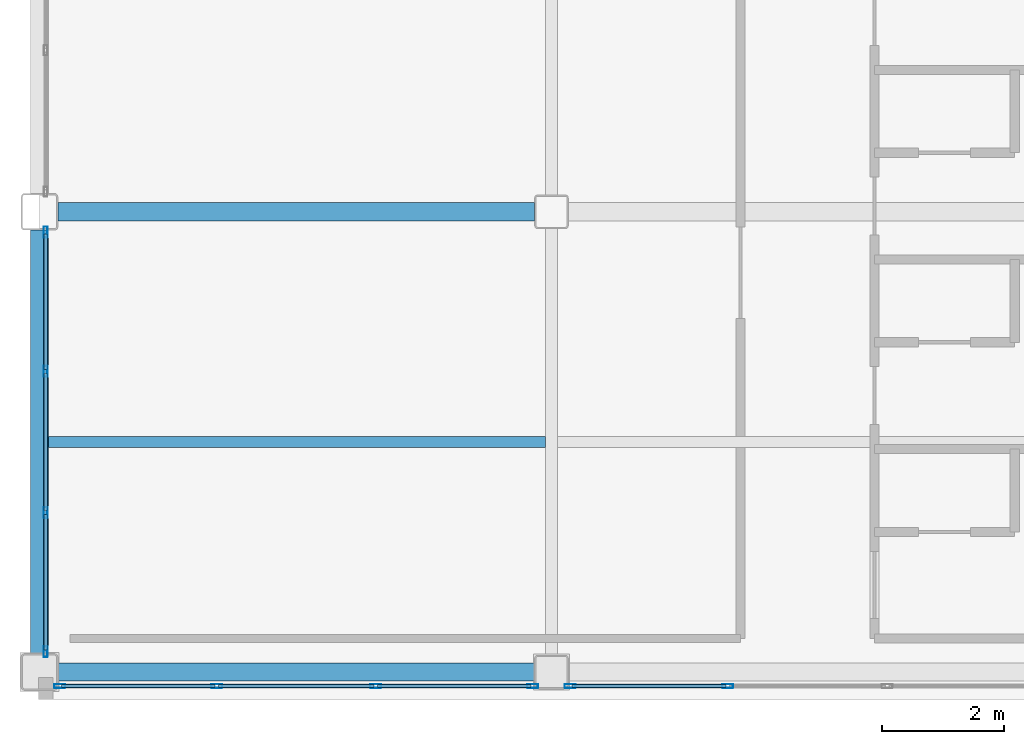
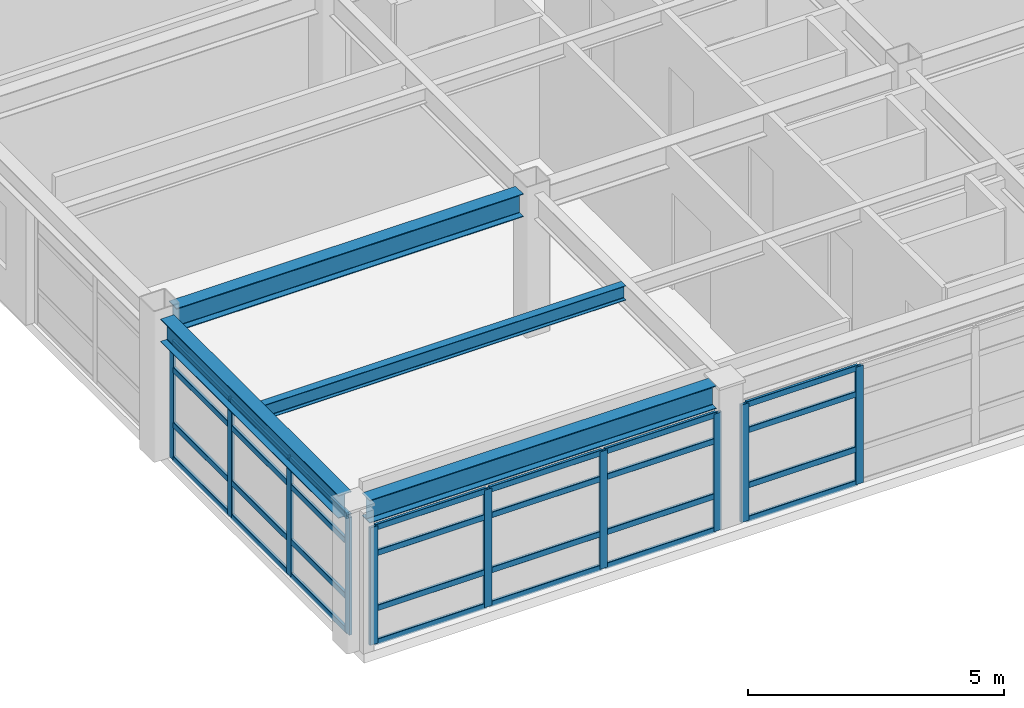
# One storey, part 3 of 36: 38 members, 4 beams, 3 elements without a shape of their own.
"""IFC4 building model written with IfcOpenShell, lengths in metres."""

from ifc_helpers import new_model, si_unit, direction, frame, origin, origin_2d, place, context, subcontext, project, spatial, hollow_rectangle, i_section, extrude, material, layer, layer_set, material_profile, profile_set, type_object, element, aggregate, save


model = new_model("IFC4")

# Units and contexts
model_context = context("Model", 3, precision=1e-05, world=origin(), true_north=direction((0.0, 1.0)))
body_context = subcontext(model_context, "Body", "Model", "MODEL_VIEW")
ifc_project = project(units=[si_unit("LENGTHUNIT", "METRE"), si_unit("AREAUNIT", "SQUARE_METRE"), si_unit("VOLUMEUNIT", "CUBIC_METRE"), si_unit("PLANEANGLEUNIT", "RADIAN"), si_unit("MASSUNIT", "GRAM", prefix="KILO")], contexts=[model_context])

# Site, building, storey
site_placement = place(None, origin())
site = spatial("IfcSite", under=ifc_project, at=site_placement, CompositionType="ELEMENT")
building_placement = place(site_placement, origin())
building = spatial("IfcBuilding", under=site, at=building_placement, Name="Kazehara Bluff Congress Hotel", CompositionType="ELEMENT")
storey_placement = place(building_placement, frame((0.0, 0.0, 28.199951171875)))
storey = spatial("IfcBuildingStorey", under=building, at=storey_placement, Name="L06", CompositionType="ELEMENT", Elevation=28.199951171875)

# Curtain wall, members
ifc_material_1 = material(Name="Anodised aluminium", Category="aluminium")
ifc_layer_1 = layer(ifc_material_1, 0.159912109375)
ifc_layer_set_1 = layer_set([ifc_layer_1], Name="Anodised aluminium")
curtain_wall_type_1 = type_object("IfcCurtainWallType", Name="TP-CW-171", PredefinedType="NOTDEFINED", material=ifc_layer_set_1)
curtain_wall_1_placement = place(storey_placement, origin())
curtain_wall_1 = element("IfcCurtainWall", 1, at=curtain_wall_1_placement, inside=storey, type_object=curtain_wall_type_1, Name="L06 curtain wall CW-171 CW-ENC-V5-L06-14791-22", PredefinedType="NOTDEFINED")
ifc_material_2 = material(Name="Anodised aluminium", Category="aluminium")
ifc_material_profile_1 = material_profile(ifc_material_2, hollow_rectangle(XDim=0.06494140625, YDim=0.179931640625, WallThickness=0.00390625, InnerFilletRadius=0.00390625, OuterFilletRadius=0.008056640625, at=origin_2d()))
ifc_profile_set_1 = profile_set([ifc_material_profile_1], Name="Anodised aluminium")
member_type_1 = type_object("IfcMemberType", Name="TP-CWM-02", PredefinedType="MULLION", material=ifc_profile_set_1)
member_1_placement = place(storey_placement, frame((151.79248046875, 0.219970703125, 0.0), z_axis=(0.0, 0.0, 1.0), x_axis=(0.0, -1.0, 0.0)))
member_1 = element("IfcMember", 2, at=member_1_placement, type_object=member_type_1, Name="CW-171 mullion 1", PredefinedType="MULLION", context=body_context, shape_type="SweptSolid", body=[
    extrude(hollow_rectangle(XDim=0.06494140625, YDim=0.179931640625, WallThickness=0.00390625, InnerFilletRadius=0.00390625, OuterFilletRadius=0.008056640625, at=origin_2d()), origin(), (0.0, 0.0, 1.0), 2.804931640625),
])
member_2_placement = place(storey_placement, frame((149.216552734375, 0.219970703125, 0.0), z_axis=(0.0, 0.0, 1.0), x_axis=(0.0, -1.0, 0.0)))
member_2 = element("IfcMember", 3, at=member_2_placement, type_object=member_type_1, Name="CW-171 mullion 2", PredefinedType="MULLION", context=body_context, shape_type="SweptSolid", body=[
    extrude(hollow_rectangle(XDim=0.06494140625, YDim=0.179931640625, WallThickness=0.00390625, InnerFilletRadius=0.00390625, OuterFilletRadius=0.008056640625, at=origin_2d()), origin(), (0.0, 0.0, 1.0), 2.804931640625),
])
member_3_placement = place(storey_placement, frame((146.6083984375, 0.219970703125, 0.0), z_axis=(0.0, 0.0, 1.0), x_axis=(0.0, -1.0, 0.0)))
member_3 = element("IfcMember", 4, at=member_3_placement, type_object=member_type_1, Name="CW-171 mullion 3", PredefinedType="MULLION", context=body_context, shape_type="SweptSolid", body=[
    extrude(hollow_rectangle(XDim=0.06494140625, YDim=0.179931640625, WallThickness=0.00390625, InnerFilletRadius=0.00390625, OuterFilletRadius=0.008056640625, at=origin_2d()), origin(), (0.0, 0.0, 1.0), 2.804931640625),
])
member_4_placement = place(storey_placement, frame((144.032470703125, 0.219970703125, 0.0), z_axis=(0.0, 0.0, 1.0), x_axis=(0.0, -1.0, 0.0)))
member_4 = element("IfcMember", 5, at=member_4_placement, type_object=member_type_1, Name="CW-171 mullion 4", PredefinedType="MULLION", context=body_context, shape_type="SweptSolid", body=[
    extrude(hollow_rectangle(XDim=0.06494140625, YDim=0.179931640625, WallThickness=0.00390625, InnerFilletRadius=0.00390625, OuterFilletRadius=0.008056640625, at=origin_2d()), origin(), (0.0, 0.0, 1.0), 2.804931640625),
])

ifc_material_3 = material(Name="Anodised aluminium", Category="aluminium")
ifc_layer_2 = layer(ifc_material_3, 0.159912109375)
ifc_layer_set_2 = layer_set([ifc_layer_2], Name="Anodised aluminium")
curtain_wall_type_2 = type_object("IfcCurtainWallType", Name="TP-CW-172", PredefinedType="NOTDEFINED", material=ifc_layer_set_2)
curtain_wall_2_placement = place(storey_placement, origin())
curtain_wall_2 = element("IfcCurtainWall", 6, at=curtain_wall_2_placement, inside=storey, type_object=curtain_wall_type_2, Name="L06 curtain wall CW-172 CW-ENC-V5-L06-15630-22", PredefinedType="NOTDEFINED")
member_5_placement = place(storey_placement, frame((154.99169921875, 0.219970703125, 0.0), z_axis=(0.0, 0.0, 1.0), x_axis=(0.0, -1.0, 0.0)))
member_5 = element("IfcMember", 7, at=member_5_placement, type_object=member_type_1, Name="CW-172 mullion 3", PredefinedType="MULLION", context=body_context, shape_type="SweptSolid", body=[
    extrude(hollow_rectangle(XDim=0.06494140625, YDim=0.179931640625, WallThickness=0.00390625, InnerFilletRadius=0.00390625, OuterFilletRadius=0.008056640625, at=origin_2d()), origin(), (0.0, 0.0, 1.0), 2.804931640625),
])
member_6_placement = place(storey_placement, frame((152.407470703125, 0.219970703125, 0.0), z_axis=(0.0, 0.0, 1.0), x_axis=(0.0, -1.0, 0.0)))
member_6 = element("IfcMember", 8, at=member_6_placement, type_object=member_type_1, Name="CW-172 mullion 4", PredefinedType="MULLION", context=body_context, shape_type="SweptSolid", body=[
    extrude(hollow_rectangle(XDim=0.06494140625, YDim=0.179931640625, WallThickness=0.00390625, InnerFilletRadius=0.00390625, OuterFilletRadius=0.008056640625, at=origin_2d()), origin(), (0.0, 0.0, 1.0), 2.804931640625),
])

ifc_material_4 = material(Name="Anodised aluminium", Category="aluminium")
ifc_layer_3 = layer(ifc_material_4, 0.159912109375)
ifc_layer_set_3 = layer_set([ifc_layer_3], Name="Anodised aluminium")
curtain_wall_type_3 = type_object("IfcCurtainWallType", Name="TP-CW-180", PredefinedType="NOTDEFINED", material=ifc_layer_set_3)
curtain_wall_3_placement = place(storey_placement, origin())
curtain_wall_3 = element("IfcCurtainWall", 9, at=curtain_wall_3_placement, inside=storey, type_object=curtain_wall_type_3, Name="L06 curtain wall CW-180 CW-ENC-V5-L06-14380-422", PredefinedType="NOTDEFINED")
member_7_placement = place(storey_placement, frame((143.800048828125, 0.782470703125, 0.0), z_axis=(0.0, 0.0, 1.0), x_axis=(-1.0, 0.0, 0.0)))
member_7 = element("IfcMember", 10, at=member_7_placement, type_object=member_type_1, Name="CW-180 mullion 1", PredefinedType="MULLION", context=body_context, shape_type="SweptSolid", body=[
    extrude(hollow_rectangle(XDim=0.06494140625, YDim=0.179931640625, WallThickness=0.00390625, InnerFilletRadius=0.00390625, OuterFilletRadius=0.008056640625, at=origin_2d()), origin(), (0.0, 0.0, 1.0), 2.804931640625),
])
member_8_placement = place(storey_placement, frame((143.800048828125, 3.066650390625, 0.0), z_axis=(0.0, 0.0, 1.0), x_axis=(-1.0, 0.0, 0.0)))
member_8 = element("IfcMember", 11, at=member_8_placement, type_object=member_type_1, Name="CW-180 mullion 2", PredefinedType="MULLION", context=body_context, shape_type="SweptSolid", body=[
    extrude(hollow_rectangle(XDim=0.06494140625, YDim=0.179931640625, WallThickness=0.00390625, InnerFilletRadius=0.00390625, OuterFilletRadius=0.008056640625, at=origin_2d()), origin(), (0.0, 0.0, 1.0), 2.804931640625),
])
member_9_placement = place(storey_placement, frame((143.800048828125, 5.38330078125, 0.0), z_axis=(0.0, 0.0, 1.0), x_axis=(-1.0, 0.0, 0.0)))
member_9 = element("IfcMember", 12, at=member_9_placement, type_object=member_type_1, Name="CW-180 mullion 3", PredefinedType="MULLION", context=body_context, shape_type="SweptSolid", body=[
    extrude(hollow_rectangle(XDim=0.06494140625, YDim=0.179931640625, WallThickness=0.00390625, InnerFilletRadius=0.00390625, OuterFilletRadius=0.008056640625, at=origin_2d()), origin(), (0.0, 0.0, 1.0), 2.804931640625),
])
member_10_placement = place(storey_placement, frame((143.800048828125, 7.66748046875, 0.0), z_axis=(0.0, 0.0, 1.0), x_axis=(-1.0, 0.0, 0.0)))
member_10 = element("IfcMember", 13, at=member_10_placement, type_object=member_type_1, Name="CW-180 mullion 4", PredefinedType="MULLION", context=body_context, shape_type="SweptSolid", body=[
    extrude(hollow_rectangle(XDim=0.06494140625, YDim=0.179931640625, WallThickness=0.00390625, InnerFilletRadius=0.00390625, OuterFilletRadius=0.008056640625, at=origin_2d()), origin(), (0.0, 0.0, 1.0), 2.804931640625),
])

# Member
ifc_material_5 = material(Name="Anodised aluminium", Category="aluminium")
ifc_material_profile_2 = material_profile(ifc_material_5, hollow_rectangle(XDim=0.06494140625, YDim=0.139892578125, WallThickness=0.00390625, InnerFilletRadius=0.00390625, OuterFilletRadius=0.008056640625, at=origin_2d()))
ifc_profile_set_2 = profile_set([ifc_material_profile_2], Name="Anodised aluminium")
member_type_2 = type_object("IfcMemberType", Name="TP-CWT-02", PredefinedType="USERDEFINED", material=ifc_profile_set_2)
member_11_placement = place(storey_placement, frame((151.760009765625, 0.219970703125, 0.032470703125), z_axis=(-1.0, 0.0, 0.0), x_axis=(0.0, -1.0, 0.0)))
member_11 = element("IfcMember", 14, at=member_11_placement, type_object=member_type_2, Name="CW-171 transom 1.1", ObjectType="TRANSOM", PredefinedType="USERDEFINED", context=body_context, shape_type="SweptSolid", body=[
    extrude(hollow_rectangle(XDim=0.06494140625, YDim=0.139892578125, WallThickness=0.00390625, InnerFilletRadius=0.00390625, OuterFilletRadius=0.008056640625, at=origin_2d()), origin(), (0.0, 0.0, 1.0), 2.5107421875),
])

member_12_placement = place(storey_placement, frame((151.760009765625, 0.219970703125, 0.840087890625), z_axis=(-1.0, 0.0, 0.0), x_axis=(0.0, -1.0, 0.0)))
member_12 = element("IfcMember", 15, at=member_12_placement, type_object=member_type_2, Name="CW-171 transom 1.2", ObjectType="TRANSOM", PredefinedType="USERDEFINED", context=body_context, shape_type="SweptSolid", body=[
    extrude(hollow_rectangle(XDim=0.06494140625, YDim=0.139892578125, WallThickness=0.00390625, InnerFilletRadius=0.00390625, OuterFilletRadius=0.008056640625, at=origin_2d()), origin(), (0.0, 0.0, 1.0), 2.5107421875),
])

member_13_placement = place(storey_placement, frame((151.760009765625, 0.219970703125, 2.155029296875), z_axis=(-1.0, 0.0, 0.0), x_axis=(0.0, -1.0, 0.0)))
member_13 = element("IfcMember", 16, at=member_13_placement, type_object=member_type_2, Name="CW-171 transom 1.3", ObjectType="TRANSOM", PredefinedType="USERDEFINED", context=body_context, shape_type="SweptSolid", body=[
    extrude(hollow_rectangle(XDim=0.06494140625, YDim=0.139892578125, WallThickness=0.00390625, InnerFilletRadius=0.00390625, OuterFilletRadius=0.008056640625, at=origin_2d()), origin(), (0.0, 0.0, 1.0), 2.5107421875),
])

member_14_placement = place(storey_placement, frame((151.760009765625, 0.219970703125, 2.7724609375), z_axis=(-1.0, 0.0, 0.0), x_axis=(0.0, -1.0, 0.0)))
member_14 = element("IfcMember", 17, at=member_14_placement, type_object=member_type_2, Name="CW-171 transom 1.4", ObjectType="TRANSOM", PredefinedType="USERDEFINED", context=body_context, shape_type="SweptSolid", body=[
    extrude(hollow_rectangle(XDim=0.06494140625, YDim=0.139892578125, WallThickness=0.00390625, InnerFilletRadius=0.00390625, OuterFilletRadius=0.008056640625, at=origin_2d()), origin(), (0.0, 0.0, 1.0), 2.5107421875),
])

member_15_placement = place(storey_placement, frame((149.18408203125, 0.219970703125, 0.032470703125), z_axis=(-1.0, 0.0, 0.0), x_axis=(0.0, -1.0, 0.0)))
member_15 = element("IfcMember", 18, at=member_15_placement, type_object=member_type_2, Name="CW-171 transom 2.1", ObjectType="TRANSOM", PredefinedType="USERDEFINED", context=body_context, shape_type="SweptSolid", body=[
    extrude(hollow_rectangle(XDim=0.06494140625, YDim=0.139892578125, WallThickness=0.00390625, InnerFilletRadius=0.00390625, OuterFilletRadius=0.008056640625, at=origin_2d()), origin(), (0.0, 0.0, 1.0), 2.543212890625),
])

member_16_placement = place(storey_placement, frame((149.18408203125, 0.219970703125, 0.840087890625), z_axis=(-1.0, 0.0, 0.0), x_axis=(0.0, -1.0, 0.0)))
member_16 = element("IfcMember", 19, at=member_16_placement, type_object=member_type_2, Name="CW-171 transom 2.2", ObjectType="TRANSOM", PredefinedType="USERDEFINED", context=body_context, shape_type="SweptSolid", body=[
    extrude(hollow_rectangle(XDim=0.06494140625, YDim=0.139892578125, WallThickness=0.00390625, InnerFilletRadius=0.00390625, OuterFilletRadius=0.008056640625, at=origin_2d()), origin(), (0.0, 0.0, 1.0), 2.543212890625),
])

member_17_placement = place(storey_placement, frame((149.18408203125, 0.219970703125, 2.155029296875), z_axis=(-1.0, 0.0, 0.0), x_axis=(0.0, -1.0, 0.0)))
member_17 = element("IfcMember", 20, at=member_17_placement, type_object=member_type_2, Name="CW-171 transom 2.3", ObjectType="TRANSOM", PredefinedType="USERDEFINED", context=body_context, shape_type="SweptSolid", body=[
    extrude(hollow_rectangle(XDim=0.06494140625, YDim=0.139892578125, WallThickness=0.00390625, InnerFilletRadius=0.00390625, OuterFilletRadius=0.008056640625, at=origin_2d()), origin(), (0.0, 0.0, 1.0), 2.543212890625),
])

member_18_placement = place(storey_placement, frame((149.18408203125, 0.219970703125, 2.7724609375), z_axis=(-1.0, 0.0, 0.0), x_axis=(0.0, -1.0, 0.0)))
member_18 = element("IfcMember", 21, at=member_18_placement, type_object=member_type_2, Name="CW-171 transom 2.4", ObjectType="TRANSOM", PredefinedType="USERDEFINED", context=body_context, shape_type="SweptSolid", body=[
    extrude(hollow_rectangle(XDim=0.06494140625, YDim=0.139892578125, WallThickness=0.00390625, InnerFilletRadius=0.00390625, OuterFilletRadius=0.008056640625, at=origin_2d()), origin(), (0.0, 0.0, 1.0), 2.543212890625),
])

member_19_placement = place(storey_placement, frame((146.575927734375, 0.219970703125, 0.032470703125), z_axis=(-1.0, 0.0, 0.0), x_axis=(0.0, -1.0, 0.0)))
member_19 = element("IfcMember", 22, at=member_19_placement, type_object=member_type_2, Name="CW-171 transom 3.1", ObjectType="TRANSOM", PredefinedType="USERDEFINED", context=body_context, shape_type="SweptSolid", body=[
    extrude(hollow_rectangle(XDim=0.06494140625, YDim=0.139892578125, WallThickness=0.00390625, InnerFilletRadius=0.00390625, OuterFilletRadius=0.008056640625, at=origin_2d()), origin(), (0.0, 0.0, 1.0), 2.510986328125),
])

member_20_placement = place(storey_placement, frame((146.575927734375, 0.219970703125, 0.840087890625), z_axis=(-1.0, 0.0, 0.0), x_axis=(0.0, -1.0, 0.0)))
member_20 = element("IfcMember", 23, at=member_20_placement, type_object=member_type_2, Name="CW-171 transom 3.2", ObjectType="TRANSOM", PredefinedType="USERDEFINED", context=body_context, shape_type="SweptSolid", body=[
    extrude(hollow_rectangle(XDim=0.06494140625, YDim=0.139892578125, WallThickness=0.00390625, InnerFilletRadius=0.00390625, OuterFilletRadius=0.008056640625, at=origin_2d()), origin(), (0.0, 0.0, 1.0), 2.510986328125),
])

member_21_placement = place(storey_placement, frame((146.575927734375, 0.219970703125, 2.155029296875), z_axis=(-1.0, 0.0, 0.0), x_axis=(0.0, -1.0, 0.0)))
member_21 = element("IfcMember", 24, at=member_21_placement, type_object=member_type_2, Name="CW-171 transom 3.3", ObjectType="TRANSOM", PredefinedType="USERDEFINED", context=body_context, shape_type="SweptSolid", body=[
    extrude(hollow_rectangle(XDim=0.06494140625, YDim=0.139892578125, WallThickness=0.00390625, InnerFilletRadius=0.00390625, OuterFilletRadius=0.008056640625, at=origin_2d()), origin(), (0.0, 0.0, 1.0), 2.510986328125),
])

member_22_placement = place(storey_placement, frame((146.575927734375, 0.219970703125, 2.7724609375), z_axis=(-1.0, 0.0, 0.0), x_axis=(0.0, -1.0, 0.0)))
member_22 = element("IfcMember", 25, at=member_22_placement, type_object=member_type_2, Name="CW-171 transom 3.4", ObjectType="TRANSOM", PredefinedType="USERDEFINED", context=body_context, shape_type="SweptSolid", body=[
    extrude(hollow_rectangle(XDim=0.06494140625, YDim=0.139892578125, WallThickness=0.00390625, InnerFilletRadius=0.00390625, OuterFilletRadius=0.008056640625, at=origin_2d()), origin(), (0.0, 0.0, 1.0), 2.510986328125),
])

aggregate(curtain_wall_1, [member_1, member_2, member_3, member_4, member_11, member_12, member_13, member_14, member_15, member_16, member_17, member_18, member_19, member_20, member_21, member_22])

member_23_placement = place(storey_placement, frame((154.959228515625, 0.219970703125, 0.032470703125), z_axis=(-1.0, 0.0, 0.0), x_axis=(0.0, -1.0, 0.0)))
member_23 = element("IfcMember", 26, at=member_23_placement, type_object=member_type_2, Name="CW-172 transom 3.1", ObjectType="TRANSOM", PredefinedType="USERDEFINED", context=body_context, shape_type="SweptSolid", body=[
    extrude(hollow_rectangle(XDim=0.06494140625, YDim=0.139892578125, WallThickness=0.00390625, InnerFilletRadius=0.00390625, OuterFilletRadius=0.008056640625, at=origin_2d()), origin(), (0.0, 0.0, 1.0), 2.519287109375),
])

member_24_placement = place(storey_placement, frame((154.959228515625, 0.219970703125, 0.840087890625), z_axis=(-1.0, 0.0, 0.0), x_axis=(0.0, -1.0, 0.0)))
member_24 = element("IfcMember", 27, at=member_24_placement, type_object=member_type_2, Name="CW-172 transom 3.2", ObjectType="TRANSOM", PredefinedType="USERDEFINED", context=body_context, shape_type="SweptSolid", body=[
    extrude(hollow_rectangle(XDim=0.06494140625, YDim=0.139892578125, WallThickness=0.00390625, InnerFilletRadius=0.00390625, OuterFilletRadius=0.008056640625, at=origin_2d()), origin(), (0.0, 0.0, 1.0), 2.519287109375),
])

member_25_placement = place(storey_placement, frame((154.959228515625, 0.219970703125, 2.155029296875), z_axis=(-1.0, 0.0, 0.0), x_axis=(0.0, -1.0, 0.0)))
member_25 = element("IfcMember", 28, at=member_25_placement, type_object=member_type_2, Name="CW-172 transom 3.3", ObjectType="TRANSOM", PredefinedType="USERDEFINED", context=body_context, shape_type="SweptSolid", body=[
    extrude(hollow_rectangle(XDim=0.06494140625, YDim=0.139892578125, WallThickness=0.00390625, InnerFilletRadius=0.00390625, OuterFilletRadius=0.008056640625, at=origin_2d()), origin(), (0.0, 0.0, 1.0), 2.519287109375),
])

member_26_placement = place(storey_placement, frame((154.959228515625, 0.219970703125, 2.7724609375), z_axis=(-1.0, 0.0, 0.0), x_axis=(0.0, -1.0, 0.0)))
member_26 = element("IfcMember", 29, at=member_26_placement, type_object=member_type_2, Name="CW-172 transom 3.4", ObjectType="TRANSOM", PredefinedType="USERDEFINED", context=body_context, shape_type="SweptSolid", body=[
    extrude(hollow_rectangle(XDim=0.06494140625, YDim=0.139892578125, WallThickness=0.00390625, InnerFilletRadius=0.00390625, OuterFilletRadius=0.008056640625, at=origin_2d()), origin(), (0.0, 0.0, 1.0), 2.519287109375),
])

aggregate(curtain_wall_2, [member_5, member_6, member_23, member_24, member_25, member_26])

member_27_placement = place(storey_placement, frame((143.800048828125, 0.81494140625, 0.032470703125), z_axis=(0.0, 1.0, 0.0), x_axis=(-1.0, 0.0, 0.0)))
member_27 = element("IfcMember", 30, at=member_27_placement, type_object=member_type_2, Name="CW-180 transom 1.1", ObjectType="TRANSOM", PredefinedType="USERDEFINED", context=body_context, shape_type="SweptSolid", body=[
    extrude(hollow_rectangle(XDim=0.06494140625, YDim=0.139892578125, WallThickness=0.00390625, InnerFilletRadius=0.00390625, OuterFilletRadius=0.008056640625, at=origin_2d()), origin(), (0.0, 0.0, 1.0), 2.21923828125),
])

member_28_placement = place(storey_placement, frame((143.800048828125, 0.81494140625, 0.840087890625), z_axis=(0.0, 1.0, 0.0), x_axis=(-1.0, 0.0, 0.0)))
member_28 = element("IfcMember", 31, at=member_28_placement, type_object=member_type_2, Name="CW-180 transom 1.2", ObjectType="TRANSOM", PredefinedType="USERDEFINED", context=body_context, shape_type="SweptSolid", body=[
    extrude(hollow_rectangle(XDim=0.06494140625, YDim=0.139892578125, WallThickness=0.00390625, InnerFilletRadius=0.00390625, OuterFilletRadius=0.008056640625, at=origin_2d()), origin(), (0.0, 0.0, 1.0), 2.21923828125),
])

member_29_placement = place(storey_placement, frame((143.800048828125, 0.81494140625, 2.155029296875), z_axis=(0.0, 1.0, 0.0), x_axis=(-1.0, 0.0, 0.0)))
member_29 = element("IfcMember", 32, at=member_29_placement, type_object=member_type_2, Name="CW-180 transom 1.3", ObjectType="TRANSOM", PredefinedType="USERDEFINED", context=body_context, shape_type="SweptSolid", body=[
    extrude(hollow_rectangle(XDim=0.06494140625, YDim=0.139892578125, WallThickness=0.00390625, InnerFilletRadius=0.00390625, OuterFilletRadius=0.008056640625, at=origin_2d()), origin(), (0.0, 0.0, 1.0), 2.21923828125),
])

member_30_placement = place(storey_placement, frame((143.800048828125, 0.81494140625, 2.7724609375), z_axis=(0.0, 1.0, 0.0), x_axis=(-1.0, 0.0, 0.0)))
member_30 = element("IfcMember", 33, at=member_30_placement, type_object=member_type_2, Name="CW-180 transom 1.4", ObjectType="TRANSOM", PredefinedType="USERDEFINED", context=body_context, shape_type="SweptSolid", body=[
    extrude(hollow_rectangle(XDim=0.06494140625, YDim=0.139892578125, WallThickness=0.00390625, InnerFilletRadius=0.00390625, OuterFilletRadius=0.008056640625, at=origin_2d()), origin(), (0.0, 0.0, 1.0), 2.21923828125),
])

member_31_placement = place(storey_placement, frame((143.800048828125, 3.09912109375, 0.032470703125), z_axis=(0.0, 1.0, 0.0), x_axis=(-1.0, 0.0, 0.0)))
member_31 = element("IfcMember", 34, at=member_31_placement, type_object=member_type_2, Name="CW-180 transom 2.1", ObjectType="TRANSOM", PredefinedType="USERDEFINED", context=body_context, shape_type="SweptSolid", body=[
    extrude(hollow_rectangle(XDim=0.06494140625, YDim=0.139892578125, WallThickness=0.00390625, InnerFilletRadius=0.00390625, OuterFilletRadius=0.008056640625, at=origin_2d()), origin(), (0.0, 0.0, 1.0), 2.251708984375),
])

member_32_placement = place(storey_placement, frame((143.800048828125, 3.09912109375, 0.840087890625), z_axis=(0.0, 1.0, 0.0), x_axis=(-1.0, 0.0, 0.0)))
member_32 = element("IfcMember", 35, at=member_32_placement, type_object=member_type_2, Name="CW-180 transom 2.2", ObjectType="TRANSOM", PredefinedType="USERDEFINED", context=body_context, shape_type="SweptSolid", body=[
    extrude(hollow_rectangle(XDim=0.06494140625, YDim=0.139892578125, WallThickness=0.00390625, InnerFilletRadius=0.00390625, OuterFilletRadius=0.008056640625, at=origin_2d()), origin(), (0.0, 0.0, 1.0), 2.251708984375),
])

member_33_placement = place(storey_placement, frame((143.800048828125, 3.09912109375, 2.155029296875), z_axis=(0.0, 1.0, 0.0), x_axis=(-1.0, 0.0, 0.0)))
member_33 = element("IfcMember", 36, at=member_33_placement, type_object=member_type_2, Name="CW-180 transom 2.3", ObjectType="TRANSOM", PredefinedType="USERDEFINED", context=body_context, shape_type="SweptSolid", body=[
    extrude(hollow_rectangle(XDim=0.06494140625, YDim=0.139892578125, WallThickness=0.00390625, InnerFilletRadius=0.00390625, OuterFilletRadius=0.008056640625, at=origin_2d()), origin(), (0.0, 0.0, 1.0), 2.251708984375),
])

member_34_placement = place(storey_placement, frame((143.800048828125, 3.09912109375, 2.7724609375), z_axis=(0.0, 1.0, 0.0), x_axis=(-1.0, 0.0, 0.0)))
member_34 = element("IfcMember", 37, at=member_34_placement, type_object=member_type_2, Name="CW-180 transom 2.4", ObjectType="TRANSOM", PredefinedType="USERDEFINED", context=body_context, shape_type="SweptSolid", body=[
    extrude(hollow_rectangle(XDim=0.06494140625, YDim=0.139892578125, WallThickness=0.00390625, InnerFilletRadius=0.00390625, OuterFilletRadius=0.008056640625, at=origin_2d()), origin(), (0.0, 0.0, 1.0), 2.251708984375),
])

member_35_placement = place(storey_placement, frame((143.800048828125, 5.415771484375, 0.032470703125), z_axis=(0.0, 1.0, 0.0), x_axis=(-1.0, 0.0, 0.0)))
member_35 = element("IfcMember", 38, at=member_35_placement, type_object=member_type_2, Name="CW-180 transom 3.1", ObjectType="TRANSOM", PredefinedType="USERDEFINED", context=body_context, shape_type="SweptSolid", body=[
    extrude(hollow_rectangle(XDim=0.06494140625, YDim=0.139892578125, WallThickness=0.00390625, InnerFilletRadius=0.00390625, OuterFilletRadius=0.008056640625, at=origin_2d()), origin(), (0.0, 0.0, 1.0), 2.21923828125),
])

member_36_placement = place(storey_placement, frame((143.800048828125, 5.415771484375, 0.840087890625), z_axis=(0.0, 1.0, 0.0), x_axis=(-1.0, 0.0, 0.0)))
member_36 = element("IfcMember", 39, at=member_36_placement, type_object=member_type_2, Name="CW-180 transom 3.2", ObjectType="TRANSOM", PredefinedType="USERDEFINED", context=body_context, shape_type="SweptSolid", body=[
    extrude(hollow_rectangle(XDim=0.06494140625, YDim=0.139892578125, WallThickness=0.00390625, InnerFilletRadius=0.00390625, OuterFilletRadius=0.008056640625, at=origin_2d()), origin(), (0.0, 0.0, 1.0), 2.21923828125),
])

member_37_placement = place(storey_placement, frame((143.800048828125, 5.415771484375, 2.155029296875), z_axis=(0.0, 1.0, 0.0), x_axis=(-1.0, 0.0, 0.0)))
member_37 = element("IfcMember", 40, at=member_37_placement, type_object=member_type_2, Name="CW-180 transom 3.3", ObjectType="TRANSOM", PredefinedType="USERDEFINED", context=body_context, shape_type="SweptSolid", body=[
    extrude(hollow_rectangle(XDim=0.06494140625, YDim=0.139892578125, WallThickness=0.00390625, InnerFilletRadius=0.00390625, OuterFilletRadius=0.008056640625, at=origin_2d()), origin(), (0.0, 0.0, 1.0), 2.21923828125),
])

member_38_placement = place(storey_placement, frame((143.800048828125, 5.415771484375, 2.7724609375), z_axis=(0.0, 1.0, 0.0), x_axis=(-1.0, 0.0, 0.0)))
member_38 = element("IfcMember", 41, at=member_38_placement, type_object=member_type_2, Name="CW-180 transom 3.4", ObjectType="TRANSOM", PredefinedType="USERDEFINED", context=body_context, shape_type="SweptSolid", body=[
    extrude(hollow_rectangle(XDim=0.06494140625, YDim=0.139892578125, WallThickness=0.00390625, InnerFilletRadius=0.00390625, OuterFilletRadius=0.008056640625, at=origin_2d()), origin(), (0.0, 0.0, 1.0), 2.21923828125),
])

aggregate(curtain_wall_3, [member_7, member_8, member_9, member_10, member_27, member_28, member_29, member_30, member_31, member_32, member_33, member_34, member_35, member_36, member_37, member_38])

# Beams
ifc_material_6 = material(Name="Steel SN490B", Category="steel")
ifc_material_profile_3 = material_profile(ifc_material_6, i_section(OverallWidth=0.300048828125, OverallDepth=0.550048828125, WebThickness=0.010986328125, FlangeThickness=0.01806640625, FilletRadius=0.012939453125, at=origin_2d()))
ifc_profile_set_3 = profile_set([ifc_material_profile_3], Name="Steel SN490B")
beam_type_1 = type_object("IfcBeamType", Name="TP-G-12", PredefinedType="BEAM", material=ifc_profile_set_3)
for number, where, z_axis, x_axis, name in (
    (42, (144.0, 0.449951171875, 3.10498046875), (1.0, 0.0, 0.0), (0.0, 1.0, 0.0), "L06 girder G-12 44"),
    (43, (144.0, 8.0, 3.10498046875), (1.0, 0.0, 0.0), (0.0, 1.0, 0.0), "L06 girder G-12 47"),
):
    element("IfcBeam", number, at=place(storey_placement, frame(where, z_axis=z_axis, x_axis=x_axis)), inside=storey, type_object=beam_type_1, Name=name, PredefinedType="BEAM", context=body_context, shape_type="SweptSolid", body=[
        extrude(i_section(OverallWidth=0.300048828125, OverallDepth=0.550048828125, WebThickness=0.010986328125, FlangeThickness=0.01806640625, FilletRadius=0.012939453125, at=origin_2d()), origin(), (0.0, 0.0, 1.0), 7.824951171875),
    ])
ifc_material_7 = material(Name="Steel SN400B", Category="steel")
ifc_material_profile_4 = material_profile(ifc_material_7, i_section(OverallWidth=0.175048828125, OverallDepth=0.35009765625, WebThickness=0.007080078125, FlangeThickness=0.010986328125, FilletRadius=0.012939453125, at=origin_2d()))
ifc_profile_set_4 = profile_set([ifc_material_profile_4], Name="Steel SN400B")
beam_type_2 = type_object("IfcBeamType", Name="TP-J-02", PredefinedType="JOIST", material=ifc_profile_set_4)
beam_1_placement = place(storey_placement, frame((143.85009765625, 4.22509765625, 3.205078125), z_axis=(1.0, 0.0, 0.0), x_axis=(0.0, 1.0, 0.0)))
element("IfcBeam", 44, at=beam_1_placement, inside=storey, type_object=beam_type_2, Name="L06 secondary joist J-02 1", PredefinedType="JOIST", context=body_context, shape_type="SweptSolid", body=[
    extrude(i_section(OverallWidth=0.175048828125, OverallDepth=0.35009765625, WebThickness=0.007080078125, FlangeThickness=0.010986328125, FilletRadius=0.012939453125, at=origin_2d()), origin(), (0.0, 0.0, 1.0), 8.14990234375),
])
ifc_material_8 = material(Name="Steel SN490B", Category="steel")
ifc_material_profile_5 = material_profile(ifc_material_8, i_section(OverallWidth=0.300048828125, OverallDepth=0.550048828125, WebThickness=0.010986328125, FlangeThickness=0.01806640625, FilletRadius=0.012939453125, at=origin_2d()))
ifc_profile_set_5 = profile_set([ifc_material_profile_5], Name="Steel SN490B")
beam_type_3 = type_object("IfcBeamType", Name="TP-SP-01", PredefinedType="SPANDREL", material=ifc_profile_set_5)
beam_2_placement = place(storey_placement, frame((143.699951171875, 0.75, 3.10498046875), z_axis=(0.0, 1.0, 0.0), x_axis=(-1.0, 0.0, 0.0)))
element("IfcBeam", 45, at=beam_2_placement, inside=storey, type_object=beam_type_3, Name="L06 girder SP-01 1", PredefinedType="SPANDREL", context=body_context, shape_type="SweptSolid", body=[
    extrude(i_section(OverallWidth=0.300048828125, OverallDepth=0.550048828125, WebThickness=0.010986328125, FlangeThickness=0.01806640625, FilletRadius=0.012939453125, at=origin_2d()), origin(), (0.0, 0.0, 1.0), 6.949951171875),
])

save(model, "model.ifc")
